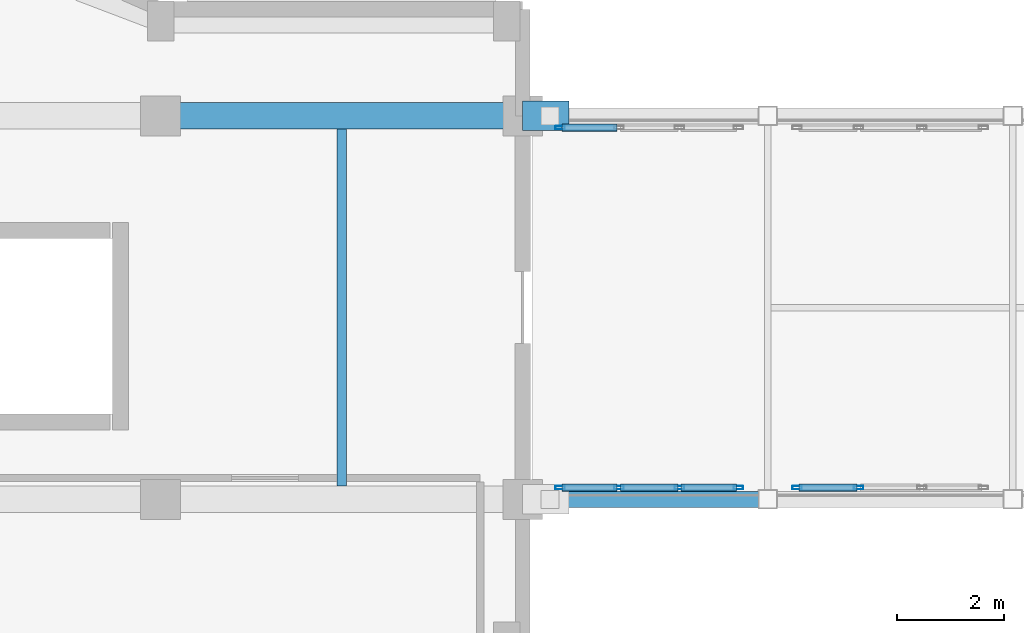
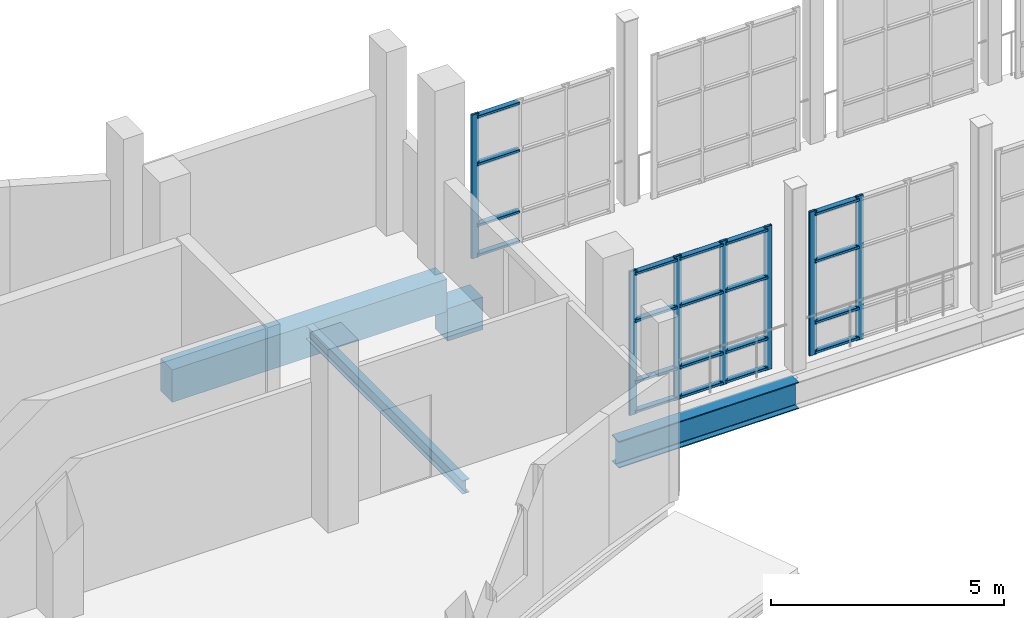
# One storey, part 29 of 106: 27 members, 4 beams, 3 elements without a shape of their own.
"""IFC4 building model written with IfcOpenShell, lengths in metres."""

from ifc_helpers import new_model, si_unit, direction, frame, origin, origin_2d, place, context, subcontext, project, spatial, rectangle, hollow_rectangle, i_section, extrude, material, layer, layer_set, material_profile, profile_set, type_object, element, aggregate, save


model = new_model("IFC4")

# Units and contexts
model_context = context("Model", 3, precision=1e-05, world=origin(), true_north=direction((0.0, 1.0)))
body_context = subcontext(model_context, "Body", "Model", "MODEL_VIEW")
ifc_project = project(units=[si_unit("LENGTHUNIT", "METRE"), si_unit("AREAUNIT", "SQUARE_METRE"), si_unit("VOLUMEUNIT", "CUBIC_METRE"), si_unit("PLANEANGLEUNIT", "RADIAN"), si_unit("MASSUNIT", "GRAM", prefix="KILO")], contexts=[model_context])

# Site, building, storey
site_placement = place(None, origin())
site = spatial("IfcSite", under=ifc_project, at=site_placement, CompositionType="ELEMENT")
building_placement = place(site_placement, origin())
building = spatial("IfcBuilding", under=site, at=building_placement, Name="Kisaragi Civic Commons", CompositionType="ELEMENT")
storey_placement = place(building_placement, frame((0.0, 0.0, 4.800048828125)))
storey = spatial("IfcBuildingStorey", under=building, at=storey_placement, Name="L01", CompositionType="ELEMENT", Elevation=4.800048828125)

# Beam
ifc_material_1 = material(Name="Concrete Fc36", Category="concrete")
ifc_material_profile_1 = material_profile(ifc_material_1, rectangle(XDim=0.550048828125, YDim=0.85009765625, at=origin_2d()), Name="RC-550x850", Category="concrete")
ifc_profile_set_1 = profile_set([ifc_material_profile_1], Name="Concrete Fc36")
beam_type_1 = type_object("IfcBeamType", Name="CB-01", PredefinedType="BEAM", material=ifc_profile_set_1)
beam_1_placement = place(storey_placement, frame((54.39990234375, 111.60009765625, -1.4951171875), z_axis=(1.0, 0.0, 0.0), x_axis=(0.0, 1.0, 0.0)))
element("IfcBeam", 1, at=beam_1_placement, inside=storey, type_object=beam_type_1, Name="BR-V4-V2 L01 seismic corbel 25", PredefinedType="BEAM", context=body_context, shape_type="SweptSolid", body=[
    extrude(rectangle(XDim=0.550048828125, YDim=0.85009765625, at=origin_2d()), origin(), (0.0, 0.0, 1.0), 0.8701171875),
])

# Curtain wall, members
ifc_material_2 = material(Name="Thermally broken anodized aluminium and low-E double glazing", Category="aluminium")
ifc_layer = layer(ifc_material_2, 0.179931640625, Name="Thermally broken anodized aluminium and low-E double glazing", Category="aluminium")
ifc_layer_set = layer_set([ifc_layer], Name="Thermally broken anodized aluminium and low-E double glazing")
curtain_wall_type = type_object("IfcCurtainWallType", Name="CW-04", PredefinedType="NOTDEFINED", material=ifc_layer_set)
curtain_wall_1_placement = place(storey_placement, origin())
curtain_wall_1 = element("IfcCurtainWall", 2, at=curtain_wall_1_placement, inside=storey, type_object=curtain_wall_type, Name="L01 curtain wall CW-04 CW-BR-117", PredefinedType="NOTDEFINED")
ifc_material_profile_2 = material_profile(ifc_material_2, hollow_rectangle(XDim=0.06494140625, YDim=0.179931640625, WallThickness=0.00439453125, InnerFilletRadius=0.00439453125, OuterFilletRadius=0.009033203125, at=origin_2d()), Name="CWM-65x180x4.5", Category="aluminium")
ifc_profile_set_2 = profile_set([ifc_material_profile_2], Name="Thermally broken anodized aluminium and low-E double glazing")
member_type_1 = type_object("IfcMemberType", Name="CWM-02", PredefinedType="MULLION", material=ifc_profile_set_2)
member_1_placement = place(storey_placement, frame((55.1025390625, 104.6201171875, 0.0), z_axis=(0.0, 0.0, 1.0), x_axis=(0.0, 1.0, 0.0)))
member_1 = element("IfcMember", 3, at=member_1_placement, type_object=member_type_1, Name="CW-04 mullion 1", PredefinedType="MULLION", context=body_context, shape_type="SweptSolid", body=[
    extrude(hollow_rectangle(XDim=0.06494140625, YDim=0.179931640625, WallThickness=0.00439453125, InnerFilletRadius=0.00439453125, OuterFilletRadius=0.009033203125, at=origin_2d()), origin(), (0.0, 0.0, 1.0), 3.760009765625),
])
member_2_placement = place(storey_placement, frame((56.206787109375, 104.6201171875, 0.0), z_axis=(0.0, 0.0, 1.0), x_axis=(0.0, 1.0, 0.0)))
member_2 = element("IfcMember", 4, at=member_2_placement, type_object=member_type_1, Name="CW-04 mullion 2", PredefinedType="MULLION", context=body_context, shape_type="SweptSolid", body=[
    extrude(hollow_rectangle(XDim=0.06494140625, YDim=0.179931640625, WallThickness=0.00439453125, InnerFilletRadius=0.00439453125, OuterFilletRadius=0.009033203125, at=origin_2d()), origin(), (0.0, 0.0, 1.0), 3.760009765625),
])
member_3_placement = place(storey_placement, frame((57.34326171875, 104.6201171875, 0.0), z_axis=(0.0, 0.0, 1.0), x_axis=(0.0, 1.0, 0.0)))
member_3 = element("IfcMember", 5, at=member_3_placement, type_object=member_type_1, Name="CW-04 mullion 3", PredefinedType="MULLION", context=body_context, shape_type="SweptSolid", body=[
    extrude(hollow_rectangle(XDim=0.06494140625, YDim=0.179931640625, WallThickness=0.00439453125, InnerFilletRadius=0.00439453125, OuterFilletRadius=0.009033203125, at=origin_2d()), origin(), (0.0, 0.0, 1.0), 3.760009765625),
])
member_4_placement = place(storey_placement, frame((58.447509765625, 104.6201171875, 0.0), z_axis=(0.0, 0.0, 1.0), x_axis=(0.0, 1.0, 0.0)))
member_4 = element("IfcMember", 6, at=member_4_placement, type_object=member_type_1, Name="CW-04 mullion 4", PredefinedType="MULLION", context=body_context, shape_type="SweptSolid", body=[
    extrude(hollow_rectangle(XDim=0.06494140625, YDim=0.179931640625, WallThickness=0.00439453125, InnerFilletRadius=0.00439453125, OuterFilletRadius=0.009033203125, at=origin_2d()), origin(), (0.0, 0.0, 1.0), 3.760009765625),
])

curtain_wall_2_placement = place(storey_placement, origin())
curtain_wall_2 = element("IfcCurtainWall", 7, at=curtain_wall_2_placement, inside=storey, type_object=curtain_wall_type, Name="L01 curtain wall CW-04 CW-BR-118", PredefinedType="NOTDEFINED")
member_5_placement = place(storey_placement, frame((59.552490234375, 104.6201171875, 0.0), z_axis=(0.0, 0.0, 1.0), x_axis=(0.0, 1.0, 0.0)))
member_5 = element("IfcMember", 8, at=member_5_placement, type_object=member_type_1, Name="CW-04 mullion 1", PredefinedType="MULLION", context=body_context, shape_type="SweptSolid", body=[
    extrude(hollow_rectangle(XDim=0.06494140625, YDim=0.179931640625, WallThickness=0.00439453125, InnerFilletRadius=0.00439453125, OuterFilletRadius=0.009033203125, at=origin_2d()), origin(), (0.0, 0.0, 1.0), 3.760009765625),
])
member_6_placement = place(storey_placement, frame((60.706787109375, 104.6201171875, 0.0), z_axis=(0.0, 0.0, 1.0), x_axis=(0.0, 1.0, 0.0)))
member_6 = element("IfcMember", 9, at=member_6_placement, type_object=member_type_1, Name="CW-04 mullion 2", PredefinedType="MULLION", context=body_context, shape_type="SweptSolid", body=[
    extrude(hollow_rectangle(XDim=0.06494140625, YDim=0.179931640625, WallThickness=0.00439453125, InnerFilletRadius=0.00439453125, OuterFilletRadius=0.009033203125, at=origin_2d()), origin(), (0.0, 0.0, 1.0), 3.760009765625),
])

# Curtain wall, member
curtain_wall_3_placement = place(storey_placement, origin())
curtain_wall_3 = element("IfcCurtainWall", 10, at=curtain_wall_3_placement, inside=storey, type_object=curtain_wall_type, Name="L01 curtain wall CW-04 CW-BR-121", PredefinedType="NOTDEFINED")
member_7_placement = place(storey_placement, frame((55.1025390625, 111.3798828125, 0.0), z_axis=(0.0, 0.0, 1.0), x_axis=(0.0, 1.0, 0.0)))
member_7 = element("IfcMember", 11, at=member_7_placement, type_object=member_type_1, Name="CW-04 mullion 1", PredefinedType="MULLION", context=body_context, shape_type="SweptSolid", body=[
    extrude(hollow_rectangle(XDim=0.06494140625, YDim=0.179931640625, WallThickness=0.00439453125, InnerFilletRadius=0.00439453125, OuterFilletRadius=0.009033203125, at=origin_2d()), origin(), (0.0, 0.0, 1.0), 3.760009765625),
])

# Member
ifc_material_profile_3 = material_profile(ifc_material_2, hollow_rectangle(XDim=0.139892578125, YDim=0.06494140625, WallThickness=0.00439453125, InnerFilletRadius=0.00439453125, OuterFilletRadius=0.009033203125, at=origin_2d()), Name="CWT-65x140x4.5", Category="aluminium")
ifc_profile_set_3 = profile_set([ifc_material_profile_3], Name="Thermally broken anodized aluminium and low-E double glazing")
member_type_2 = type_object("IfcMemberType", Name="CWT-02", PredefinedType="USERDEFINED", material=ifc_profile_set_3)
member_8_placement = place(storey_placement, frame((55.135009765625, 104.6201171875, 0.070068359375), z_axis=(1.0, 0.0, 0.0), x_axis=(0.0, 1.0, 0.0)))
member_8 = element("IfcMember", 12, at=member_8_placement, type_object=member_type_2, Name="CW-04 transom 1.1", ObjectType="TRANSOM", PredefinedType="USERDEFINED", context=body_context, shape_type="SweptSolid", body=[
    extrude(hollow_rectangle(XDim=0.139892578125, YDim=0.06494140625, WallThickness=0.00439453125, InnerFilletRadius=0.00439453125, OuterFilletRadius=0.009033203125, at=origin_2d()), origin(), (0.0, 0.0, 1.0), 1.0390625),
])

member_9_placement = place(storey_placement, frame((55.135009765625, 104.6201171875, 0.849853515625), z_axis=(1.0, 0.0, 0.0), x_axis=(0.0, 1.0, 0.0)))
member_9 = element("IfcMember", 13, at=member_9_placement, type_object=member_type_2, Name="CW-04 transom 1.2", ObjectType="TRANSOM", PredefinedType="USERDEFINED", context=body_context, shape_type="SweptSolid", body=[
    extrude(hollow_rectangle(XDim=0.139892578125, YDim=0.06494140625, WallThickness=0.00439453125, InnerFilletRadius=0.00439453125, OuterFilletRadius=0.009033203125, at=origin_2d()), origin(), (0.0, 0.0, 1.0), 1.0390625),
])

member_10_placement = place(storey_placement, frame((55.135009765625, 104.6201171875, 2.449951171875), z_axis=(1.0, 0.0, 0.0), x_axis=(0.0, 1.0, 0.0)))
member_10 = element("IfcMember", 14, at=member_10_placement, type_object=member_type_2, Name="CW-04 transom 1.3", ObjectType="TRANSOM", PredefinedType="USERDEFINED", context=body_context, shape_type="SweptSolid", body=[
    extrude(hollow_rectangle(XDim=0.139892578125, YDim=0.06494140625, WallThickness=0.00439453125, InnerFilletRadius=0.00439453125, OuterFilletRadius=0.009033203125, at=origin_2d()), origin(), (0.0, 0.0, 1.0), 1.0390625),
])

member_11_placement = place(storey_placement, frame((55.135009765625, 104.6201171875, 3.68994140625), z_axis=(1.0, 0.0, 0.0), x_axis=(0.0, 1.0, 0.0)))
member_11 = element("IfcMember", 15, at=member_11_placement, type_object=member_type_2, Name="CW-04 transom 1.4", ObjectType="TRANSOM", PredefinedType="USERDEFINED", context=body_context, shape_type="SweptSolid", body=[
    extrude(hollow_rectangle(XDim=0.139892578125, YDim=0.06494140625, WallThickness=0.00439453125, InnerFilletRadius=0.00439453125, OuterFilletRadius=0.009033203125, at=origin_2d()), origin(), (0.0, 0.0, 1.0), 1.0390625),
])

member_12_placement = place(storey_placement, frame((56.2392578125, 104.6201171875, 0.070068359375), z_axis=(1.0, 0.0, 0.0), x_axis=(0.0, 1.0, 0.0)))
member_12 = element("IfcMember", 16, at=member_12_placement, type_object=member_type_2, Name="CW-04 transom 2.1", ObjectType="TRANSOM", PredefinedType="USERDEFINED", context=body_context, shape_type="SweptSolid", body=[
    extrude(hollow_rectangle(XDim=0.139892578125, YDim=0.06494140625, WallThickness=0.00439453125, InnerFilletRadius=0.00439453125, OuterFilletRadius=0.009033203125, at=origin_2d()), origin(), (0.0, 0.0, 1.0), 1.071533203125),
])

member_13_placement = place(storey_placement, frame((56.2392578125, 104.6201171875, 0.849853515625), z_axis=(1.0, 0.0, 0.0), x_axis=(0.0, 1.0, 0.0)))
member_13 = element("IfcMember", 17, at=member_13_placement, type_object=member_type_2, Name="CW-04 transom 2.2", ObjectType="TRANSOM", PredefinedType="USERDEFINED", context=body_context, shape_type="SweptSolid", body=[
    extrude(hollow_rectangle(XDim=0.139892578125, YDim=0.06494140625, WallThickness=0.00439453125, InnerFilletRadius=0.00439453125, OuterFilletRadius=0.009033203125, at=origin_2d()), origin(), (0.0, 0.0, 1.0), 1.071533203125),
])

member_14_placement = place(storey_placement, frame((56.2392578125, 104.6201171875, 2.449951171875), z_axis=(1.0, 0.0, 0.0), x_axis=(0.0, 1.0, 0.0)))
member_14 = element("IfcMember", 18, at=member_14_placement, type_object=member_type_2, Name="CW-04 transom 2.3", ObjectType="TRANSOM", PredefinedType="USERDEFINED", context=body_context, shape_type="SweptSolid", body=[
    extrude(hollow_rectangle(XDim=0.139892578125, YDim=0.06494140625, WallThickness=0.00439453125, InnerFilletRadius=0.00439453125, OuterFilletRadius=0.009033203125, at=origin_2d()), origin(), (0.0, 0.0, 1.0), 1.071533203125),
])

member_15_placement = place(storey_placement, frame((56.2392578125, 104.6201171875, 3.68994140625), z_axis=(1.0, 0.0, 0.0), x_axis=(0.0, 1.0, 0.0)))
member_15 = element("IfcMember", 19, at=member_15_placement, type_object=member_type_2, Name="CW-04 transom 2.4", ObjectType="TRANSOM", PredefinedType="USERDEFINED", context=body_context, shape_type="SweptSolid", body=[
    extrude(hollow_rectangle(XDim=0.139892578125, YDim=0.06494140625, WallThickness=0.00439453125, InnerFilletRadius=0.00439453125, OuterFilletRadius=0.009033203125, at=origin_2d()), origin(), (0.0, 0.0, 1.0), 1.071533203125),
])

member_16_placement = place(storey_placement, frame((57.375732421875, 104.6201171875, 0.070068359375), z_axis=(1.0, 0.0, 0.0), x_axis=(0.0, 1.0, 0.0)))
member_16 = element("IfcMember", 20, at=member_16_placement, type_object=member_type_2, Name="CW-04 transom 3.1", ObjectType="TRANSOM", PredefinedType="USERDEFINED", context=body_context, shape_type="SweptSolid", body=[
    extrude(hollow_rectangle(XDim=0.139892578125, YDim=0.06494140625, WallThickness=0.00439453125, InnerFilletRadius=0.00439453125, OuterFilletRadius=0.009033203125, at=origin_2d()), origin(), (0.0, 0.0, 1.0), 1.039306640625),
])

member_17_placement = place(storey_placement, frame((57.375732421875, 104.6201171875, 0.849853515625), z_axis=(1.0, 0.0, 0.0), x_axis=(0.0, 1.0, 0.0)))
member_17 = element("IfcMember", 21, at=member_17_placement, type_object=member_type_2, Name="CW-04 transom 3.2", ObjectType="TRANSOM", PredefinedType="USERDEFINED", context=body_context, shape_type="SweptSolid", body=[
    extrude(hollow_rectangle(XDim=0.139892578125, YDim=0.06494140625, WallThickness=0.00439453125, InnerFilletRadius=0.00439453125, OuterFilletRadius=0.009033203125, at=origin_2d()), origin(), (0.0, 0.0, 1.0), 1.039306640625),
])

member_18_placement = place(storey_placement, frame((57.375732421875, 104.6201171875, 2.449951171875), z_axis=(1.0, 0.0, 0.0), x_axis=(0.0, 1.0, 0.0)))
member_18 = element("IfcMember", 22, at=member_18_placement, type_object=member_type_2, Name="CW-04 transom 3.3", ObjectType="TRANSOM", PredefinedType="USERDEFINED", context=body_context, shape_type="SweptSolid", body=[
    extrude(hollow_rectangle(XDim=0.139892578125, YDim=0.06494140625, WallThickness=0.00439453125, InnerFilletRadius=0.00439453125, OuterFilletRadius=0.009033203125, at=origin_2d()), origin(), (0.0, 0.0, 1.0), 1.039306640625),
])

member_19_placement = place(storey_placement, frame((57.375732421875, 104.6201171875, 3.68994140625), z_axis=(1.0, 0.0, 0.0), x_axis=(0.0, 1.0, 0.0)))
member_19 = element("IfcMember", 23, at=member_19_placement, type_object=member_type_2, Name="CW-04 transom 3.4", ObjectType="TRANSOM", PredefinedType="USERDEFINED", context=body_context, shape_type="SweptSolid", body=[
    extrude(hollow_rectangle(XDim=0.139892578125, YDim=0.06494140625, WallThickness=0.00439453125, InnerFilletRadius=0.00439453125, OuterFilletRadius=0.009033203125, at=origin_2d()), origin(), (0.0, 0.0, 1.0), 1.039306640625),
])

aggregate(curtain_wall_1, [member_1, member_2, member_3, member_4, member_8, member_9, member_10, member_11, member_12, member_13, member_14, member_15, member_16, member_17, member_18, member_19])

member_20_placement = place(storey_placement, frame((59.5849609375, 104.6201171875, 0.070068359375), z_axis=(1.0, 0.0, 0.0), x_axis=(0.0, 1.0, 0.0)))
member_20 = element("IfcMember", 24, at=member_20_placement, type_object=member_type_2, Name="CW-04 transom 1.1", ObjectType="TRANSOM", PredefinedType="USERDEFINED", context=body_context, shape_type="SweptSolid", body=[
    extrude(hollow_rectangle(XDim=0.139892578125, YDim=0.06494140625, WallThickness=0.00439453125, InnerFilletRadius=0.00439453125, OuterFilletRadius=0.009033203125, at=origin_2d()), origin(), (0.0, 0.0, 1.0), 1.089111328125),
])

member_21_placement = place(storey_placement, frame((59.5849609375, 104.6201171875, 0.849853515625), z_axis=(1.0, 0.0, 0.0), x_axis=(0.0, 1.0, 0.0)))
member_21 = element("IfcMember", 25, at=member_21_placement, type_object=member_type_2, Name="CW-04 transom 1.2", ObjectType="TRANSOM", PredefinedType="USERDEFINED", context=body_context, shape_type="SweptSolid", body=[
    extrude(hollow_rectangle(XDim=0.139892578125, YDim=0.06494140625, WallThickness=0.00439453125, InnerFilletRadius=0.00439453125, OuterFilletRadius=0.009033203125, at=origin_2d()), origin(), (0.0, 0.0, 1.0), 1.089111328125),
])

member_22_placement = place(storey_placement, frame((59.5849609375, 104.6201171875, 2.449951171875), z_axis=(1.0, 0.0, 0.0), x_axis=(0.0, 1.0, 0.0)))
member_22 = element("IfcMember", 26, at=member_22_placement, type_object=member_type_2, Name="CW-04 transom 1.3", ObjectType="TRANSOM", PredefinedType="USERDEFINED", context=body_context, shape_type="SweptSolid", body=[
    extrude(hollow_rectangle(XDim=0.139892578125, YDim=0.06494140625, WallThickness=0.00439453125, InnerFilletRadius=0.00439453125, OuterFilletRadius=0.009033203125, at=origin_2d()), origin(), (0.0, 0.0, 1.0), 1.089111328125),
])

member_23_placement = place(storey_placement, frame((59.5849609375, 104.6201171875, 3.68994140625), z_axis=(1.0, 0.0, 0.0), x_axis=(0.0, 1.0, 0.0)))
member_23 = element("IfcMember", 27, at=member_23_placement, type_object=member_type_2, Name="CW-04 transom 1.4", ObjectType="TRANSOM", PredefinedType="USERDEFINED", context=body_context, shape_type="SweptSolid", body=[
    extrude(hollow_rectangle(XDim=0.139892578125, YDim=0.06494140625, WallThickness=0.00439453125, InnerFilletRadius=0.00439453125, OuterFilletRadius=0.009033203125, at=origin_2d()), origin(), (0.0, 0.0, 1.0), 1.089111328125),
])

aggregate(curtain_wall_2, [member_5, member_6, member_20, member_21, member_22, member_23])

member_24_placement = place(storey_placement, frame((55.135009765625, 111.3798828125, 0.070068359375), z_axis=(1.0, 0.0, 0.0), x_axis=(0.0, 1.0, 0.0)))
member_24 = element("IfcMember", 28, at=member_24_placement, type_object=member_type_2, Name="CW-04 transom 1.1", ObjectType="TRANSOM", PredefinedType="USERDEFINED", context=body_context, shape_type="SweptSolid", body=[
    extrude(hollow_rectangle(XDim=0.139892578125, YDim=0.06494140625, WallThickness=0.00439453125, InnerFilletRadius=0.00439453125, OuterFilletRadius=0.009033203125, at=origin_2d()), origin(), (0.0, 0.0, 1.0), 1.0390625),
])

member_25_placement = place(storey_placement, frame((55.135009765625, 111.3798828125, 0.849853515625), z_axis=(1.0, 0.0, 0.0), x_axis=(0.0, 1.0, 0.0)))
member_25 = element("IfcMember", 29, at=member_25_placement, type_object=member_type_2, Name="CW-04 transom 1.2", ObjectType="TRANSOM", PredefinedType="USERDEFINED", context=body_context, shape_type="SweptSolid", body=[
    extrude(hollow_rectangle(XDim=0.139892578125, YDim=0.06494140625, WallThickness=0.00439453125, InnerFilletRadius=0.00439453125, OuterFilletRadius=0.009033203125, at=origin_2d()), origin(), (0.0, 0.0, 1.0), 1.0390625),
])

member_26_placement = place(storey_placement, frame((55.135009765625, 111.3798828125, 2.449951171875), z_axis=(1.0, 0.0, 0.0), x_axis=(0.0, 1.0, 0.0)))
member_26 = element("IfcMember", 30, at=member_26_placement, type_object=member_type_2, Name="CW-04 transom 1.3", ObjectType="TRANSOM", PredefinedType="USERDEFINED", context=body_context, shape_type="SweptSolid", body=[
    extrude(hollow_rectangle(XDim=0.139892578125, YDim=0.06494140625, WallThickness=0.00439453125, InnerFilletRadius=0.00439453125, OuterFilletRadius=0.009033203125, at=origin_2d()), origin(), (0.0, 0.0, 1.0), 1.0390625),
])

member_27_placement = place(storey_placement, frame((55.135009765625, 111.3798828125, 3.68994140625), z_axis=(1.0, 0.0, 0.0), x_axis=(0.0, 1.0, 0.0)))
member_27 = element("IfcMember", 31, at=member_27_placement, type_object=member_type_2, Name="CW-04 transom 1.4", ObjectType="TRANSOM", PredefinedType="USERDEFINED", context=body_context, shape_type="SweptSolid", body=[
    extrude(hollow_rectangle(XDim=0.139892578125, YDim=0.06494140625, WallThickness=0.00439453125, InnerFilletRadius=0.00439453125, OuterFilletRadius=0.009033203125, at=origin_2d()), origin(), (0.0, 0.0, 1.0), 1.0390625),
])

aggregate(curtain_wall_3, [member_7, member_24, member_25, member_26, member_27])

# Beams
ifc_material_3 = material(Name="Concrete Fc30", Category="concrete")
ifc_material_profile_4 = material_profile(ifc_material_3, rectangle(XDim=0.5, YDim=0.85009765625, at=origin_2d()), Name="RC-500x850", Category="concrete")
ifc_profile_set_4 = profile_set([ifc_material_profile_4], Name="Concrete Fc30")
beam_type_2 = type_object("IfcBeamType", Name="G-02", PredefinedType="BEAM", material=ifc_profile_set_4)
beam_2_placement = place(storey_placement, frame((47.60009765625, 111.60009765625, -0.72998046875), z_axis=(1.0, 0.0, 0.0), x_axis=(0.0, 1.0, 0.0)))
element("IfcBeam", 32, at=beam_2_placement, inside=storey, type_object=beam_type_2, Name="L01 girder G-02 183", PredefinedType="BEAM", context=body_context, shape_type="SweptSolid", body=[
    extrude(rectangle(XDim=0.5, YDim=0.85009765625, at=origin_2d()), origin(), (0.0, 0.0, 1.0), 6.7998046875),
])
ifc_material_4 = material(Name="Steel SN490 (SN490B)", Category="steel")
ifc_material_profile_5 = material_profile(ifc_material_4, i_section(OverallWidth=0.300048828125, OverallDepth=0.699951171875, WebThickness=0.012939453125, FlangeThickness=0.02392578125, FilletRadius=0.01806640625, at=origin_2d()), Name="H-700x300x13x24", Category="steel")
ifc_profile_set_5 = profile_set([ifc_material_profile_5], Name="Steel SN490 (SN490B)")
beam_type_3 = type_object("IfcBeamType", Name="G-09", PredefinedType="BEAM", material=ifc_profile_set_5)
beam_3_placement = place(storey_placement, frame((59.0, 104.39990234375, -0.655029296875), z_axis=(-1.0, 0.0, 0.0), x_axis=(0.0, -1.0, 0.0)))
element("IfcBeam", 33, at=beam_3_placement, inside=storey, type_object=beam_type_3, Name="BR-V4-V2 L01 bridge girder 19", PredefinedType="BEAM", context=body_context, shape_type="SweptSolid", body=[
    extrude(i_section(OverallWidth=0.300048828125, OverallDepth=0.699951171875, WebThickness=0.012939453125, FlangeThickness=0.02392578125, FilletRadius=0.01806640625, at=origin_2d()), origin(), (0.0, 0.0, 1.0), 4.449951171875),
])
ifc_material_5 = material(Name="Steel SN400 (SN400B)", Category="steel")
ifc_material_profile_6 = material_profile(ifc_material_5, i_section(OverallWidth=0.175048828125, OverallDepth=0.35009765625, WebThickness=0.007080078125, FlangeThickness=0.010986328125, FilletRadius=0.012939453125, at=origin_2d()), Name="H-350x175x7x11", Category="steel")
ifc_profile_set_6 = profile_set([ifc_material_profile_6], Name="Steel SN400 (SN400B)")
beam_type_4 = type_object("IfcBeamType", Name="J-02", PredefinedType="JOIST", material=ifc_profile_set_6)
beam_4_placement = place(storey_placement, frame((51.0, 104.64990234375, -0.47998046875), z_axis=(0.0, 1.0, 0.0), x_axis=(-1.0, 0.0, 0.0)))
element("IfcBeam", 34, at=beam_4_placement, inside=storey, type_object=beam_type_4, Name="L01 secondary steel joist J-02 42", PredefinedType="JOIST", context=body_context, shape_type="SweptSolid", body=[
    extrude(i_section(OverallWidth=0.175048828125, OverallDepth=0.35009765625, WebThickness=0.007080078125, FlangeThickness=0.010986328125, FilletRadius=0.012939453125, at=origin_2d()), origin(), (0.0, 0.0, 1.0), 6.7001953125),
])

save(model, "model.ifc")
